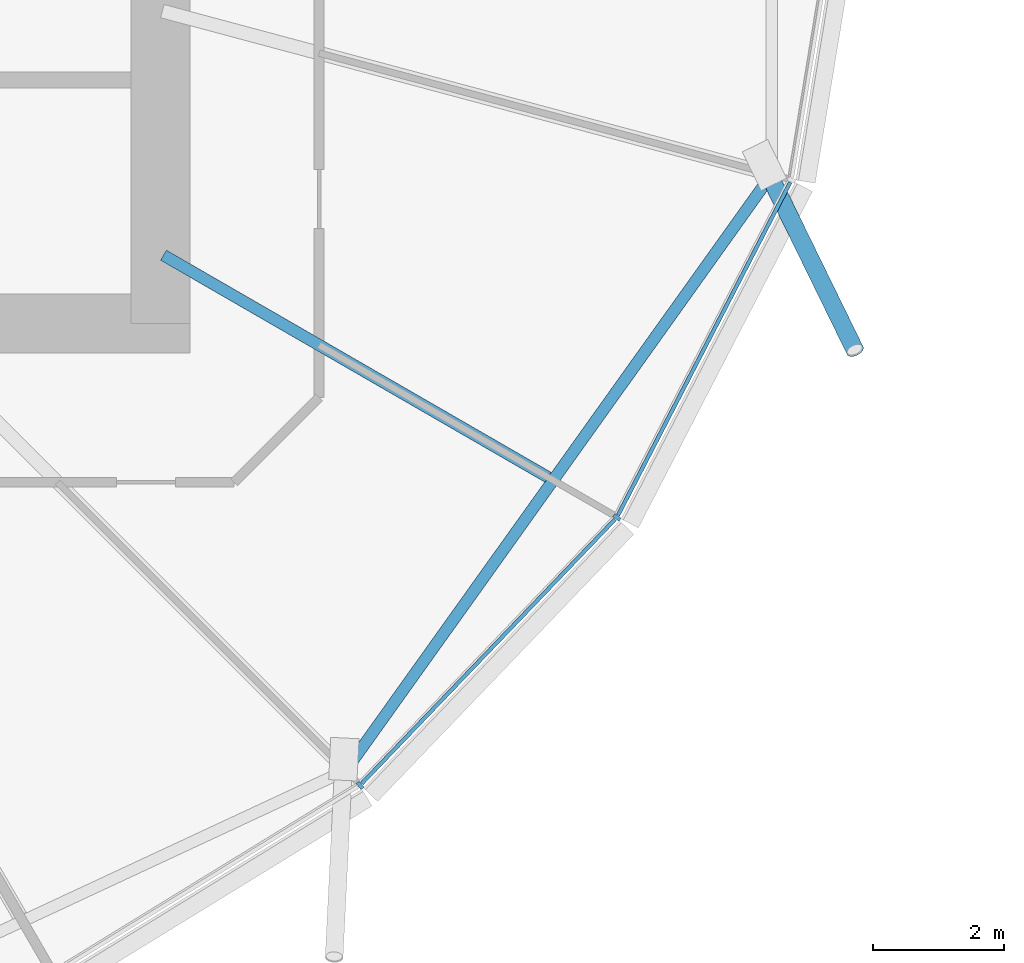
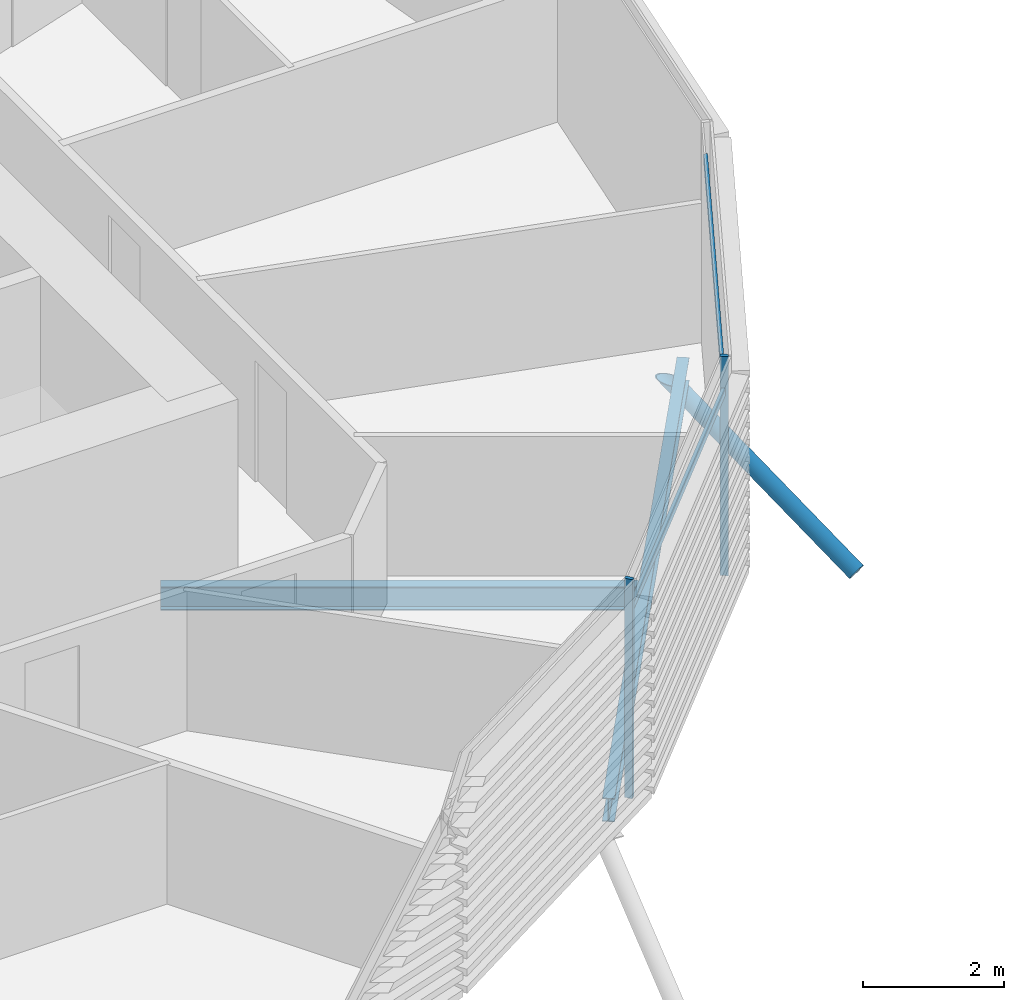
# One storey, part 6 of 38: 5 members, 2 beams, 1 element without a shape of its own.
"""IFC4 building model written with IfcOpenShell, lengths in metres."""

from ifc_helpers import new_model, si_unit, direction, frame, origin, origin_2d, place, context, subcontext, project, spatial, rectangle, hollow_circle, i_section, extrude, clip, halfspace, material, material_profile, profile_set, type_object, element, aggregate, save


model = new_model("IFC4")

# Units and contexts
model_context = context("Model", 3, precision=1e-05, world=origin(), true_north=direction((0.0, 1.0)))
body_context = subcontext(model_context, "Body", "Model", "MODEL_VIEW")
ifc_project = project(units=[si_unit("LENGTHUNIT", "METRE"), si_unit("AREAUNIT", "SQUARE_METRE"), si_unit("VOLUMEUNIT", "CUBIC_METRE"), si_unit("PLANEANGLEUNIT", "RADIAN"), si_unit("MASSUNIT", "GRAM", prefix="KILO")], contexts=[model_context])

# Site, building, storey
site_placement = place(None, origin())
site = spatial("IfcSite", under=ifc_project, at=site_placement, CompositionType="ELEMENT")
building_placement = place(site_placement, origin())
building = spatial("IfcBuilding", under=site, at=building_placement, Name="Rimbun Link Towers", CompositionType="ELEMENT")
storey_placement = place(building_placement, frame((0.0, 0.0, 49.0)))
storey = spatial("IfcBuildingStorey", under=building, at=storey_placement, Name="L11", CompositionType="ELEMENT", Elevation=49.0)

# Curtain wall, members
ifc_material_1 = material(Name="Aluminium 6063-T6 and low-iron glass", Category="aluminium")
curtain_wall_type = type_object("IfcCurtainWallType", Name="CW1 unitised vision wall", PredefinedType="NOTDEFINED", material=ifc_material_1)
curtain_wall_placement = place(storey_placement, origin())
curtain_wall = element("IfcCurtainWall", 1, at=curtain_wall_placement, inside=storey, type_object=curtain_wall_type, Name="CW1 L11 T1", PredefinedType="NOTDEFINED")
ifc_material_2 = material(Name="Aluminium 6063-T6", Category="aluminium")
ifc_material_profile_1 = material_profile(ifc_material_2, rectangle(XDim=0.1201171875, YDim=0.06005859375, at=origin_2d()), Name="MULLION 60X120")
ifc_profile_set_1 = profile_set([ifc_material_profile_1], Name="Aluminium 6063-T6")
member_type_1 = type_object("IfcMemberType", Name="CW1 mullion 60X120", PredefinedType="MULLION", material=ifc_profile_set_1)
member_1_placement = place(storey_placement, frame((-16.69921875, -15.059814453125, 0.0), z_axis=(0.0, 0.0, 1.0), x_axis=(0.627671952207, -0.778477951141, 0.0)))
member_1 = element("IfcMember", 2, at=member_1_placement, type_object=member_type_1, Name="CW1 mullion", PredefinedType="MULLION", context=body_context, shape_type="SweptSolid", body=[
    extrude(rectangle(XDim=0.1201171875, YDim=0.06005859375, at=origin_2d()), origin(), (0.0, 0.0, 1.0), 3.800048828125),
])
member_2_placement = place(storey_placement, frame((-12.772216796875, -10.963623046875, 0.0), z_axis=(0.0, 0.0, 1.0), x_axis=(0.813348990661, -0.581776090426, 0.0)))
member_2 = element("IfcMember", 3, at=member_2_placement, type_object=member_type_1, Name="CW1 mullion", PredefinedType="MULLION", context=body_context, shape_type="SweptSolid", body=[
    extrude(rectangle(XDim=0.1201171875, YDim=0.06005859375, at=origin_2d()), origin(), (0.0, 0.0, 1.0), 3.800048828125),
])
ifc_material_3 = material(Name="Aluminium 6063-T6", Category="aluminium")
ifc_material_profile_2 = material_profile(ifc_material_3, rectangle(XDim=0.06005859375, YDim=0.1201171875, at=origin_2d()), Name="TRANSOM 60X120")
ifc_profile_set_2 = profile_set([ifc_material_profile_2], Name="Aluminium 6063-T6")
member_type_2 = type_object("IfcMemberType", Name="CW1 transom 60X120", PredefinedType="USERDEFINED", material=ifc_profile_set_2)
member_3_placement = place(storey_placement, frame((-12.7998046875, -10.990478515625, 3.199951171875), z_axis=(-0.692035114231, -0.721863838041, 0.0), x_axis=(0.721863838041, -0.692035114231, 0.0)))
member_3 = element("IfcMember", 4, at=member_3_placement, type_object=member_type_2, Name="CW1 transom", ObjectType="TRANSOM", PredefinedType="USERDEFINED", context=body_context, shape_type="SweptSolid", body=[
    extrude(rectangle(XDim=0.06005859375, YDim=0.1201171875, at=origin_2d()), origin(), (0.0, 0.0, 1.0), 5.598388671875),
])
member_4_placement = place(storey_placement, frame((-10.121826171875, -5.83837890625, 3.199951171875), z_axis=(-0.459541116691, -0.888156496385, 0.0), x_axis=(0.888156496385, -0.459541116691, 0.0)))
member_4 = element("IfcMember", 5, at=member_4_placement, type_object=member_type_2, Name="CW1 transom", ObjectType="TRANSOM", PredefinedType="USERDEFINED", context=body_context, shape_type="SweptSolid", body=[
    extrude(rectangle(XDim=0.06005859375, YDim=0.1201171875, at=origin_2d()), origin(), (0.0, 0.0, 1.0), 5.7314453125),
])
aggregate(curtain_wall, [member_1, member_2, member_3, member_4])

# Member
ifc_material_4 = material(Name="Steel S355J2H", Category="steel")
ifc_material_profile_3 = material_profile(ifc_material_4, hollow_circle(Radius=0.136474609375, WallThickness=0.012451171875, at=origin_2d()), Name="CHS 273x12.5")
ifc_profile_set_3 = profile_set([ifc_material_profile_3], Name="Steel S355J2H")
member_type_3 = type_object("IfcMemberType", Name="Floor edge link CHS 273x12.5", PredefinedType="BRACE", material=ifc_profile_set_3)
member_5_placement = place(storey_placement, frame((-10.455078125, -5.7060546875, -0.8076171875), z_axis=(0.367591251139, -0.751653952402, -0.54762487884), x_axis=(0.898329657886, 0.439322006918, 0.0)))
element("IfcMember", 6, at=member_5_placement, inside=storey, type_object=member_type_3, Name="Floor edge link T1 L11 23", PredefinedType="BRACE", context=body_context, shape_type="Clipping", body=[
    clip(extrude(hollow_circle(Radius=0.136474609375, WallThickness=0.012451171875, at=origin_2d()), frame((0.0, 0.0, -0.435302734375)), (0.0, 0.0, 1.0), 4.037109375), halfspace(frame((0.0, 0.0, -0.20556640625), z_axis=(0.0, 0.836723964086, -0.54762487884)), False)),
])

# Beams
ifc_material_5 = material(Name="Steel S355J2", Category="steel")
ifc_material_profile_4 = material_profile(ifc_material_5, i_section(OverallWidth=0.177978515625, OverallDepth=0.406494140625, WebThickness=0.0078125, FlangeThickness=0.0126953125, at=origin_2d()), Name="UB 406x178x60")
ifc_profile_set_4 = profile_set([ifc_material_profile_4], Name="Steel S355J2")
beam_type = type_object("IfcBeamType", Name="UB 406x178x60", PredefinedType="BEAM", material=ifc_profile_set_4)
beam_1_placement = place(storey_placement, frame((-19.70458984375, -6.954345703125, -0.36328125), z_axis=(0.866019088595, -0.50001093807, 0.0), x_axis=(0.50001093807, 0.866019088595, 0.0)))
element("IfcBeam", 7, at=beam_1_placement, inside=storey, type_object=beam_type, Name="Radial beam T1 L11 22", PredefinedType="BEAM", context=body_context, shape_type="SweptSolid", body=[
    extrude(i_section(OverallWidth=0.177978515625, OverallDepth=0.406494140625, WebThickness=0.0078125, FlangeThickness=0.0126953125, at=origin_2d()), origin(), (0.0, 0.0, 1.0), 6.788330078125),
])
beam_2_placement = place(storey_placement, frame((-16.856201171875, -14.744384765625, -0.36328125), z_axis=(0.581398033371, 0.813619276316, 0.0), x_axis=(-0.813619276316, 0.581398033371, 0.0)))
element("IfcBeam", 8, at=beam_2_placement, inside=storey, type_object=beam_type, Name="Edge beam T1 L11 21-23", PredefinedType="BEAM", context=body_context, shape_type="SweptSolid", body=[
    extrude(i_section(OverallWidth=0.177978515625, OverallDepth=0.406494140625, WebThickness=0.0078125, FlangeThickness=0.0126953125, at=origin_2d()), origin(), (0.0, 0.0, 1.0), 10.97998046875),
])

save(model, "model.ifc")
